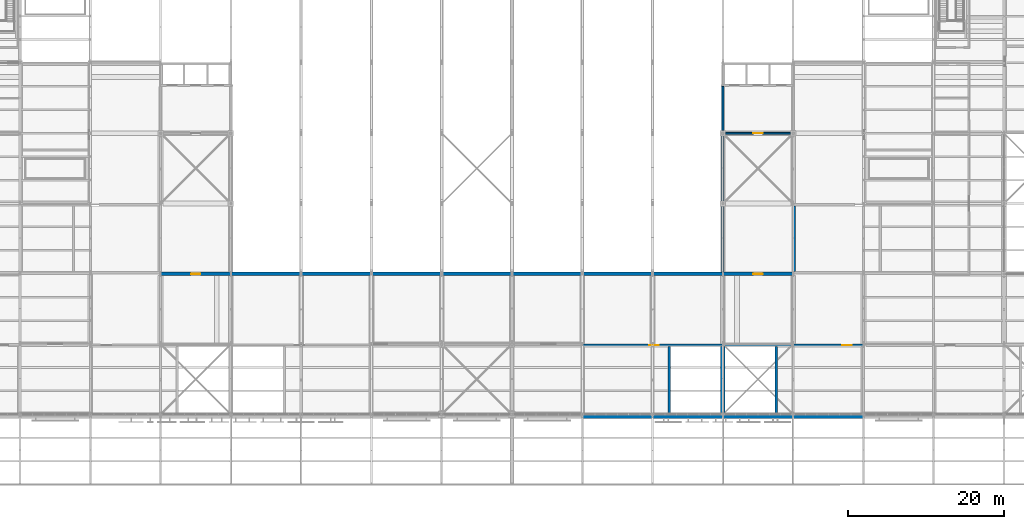
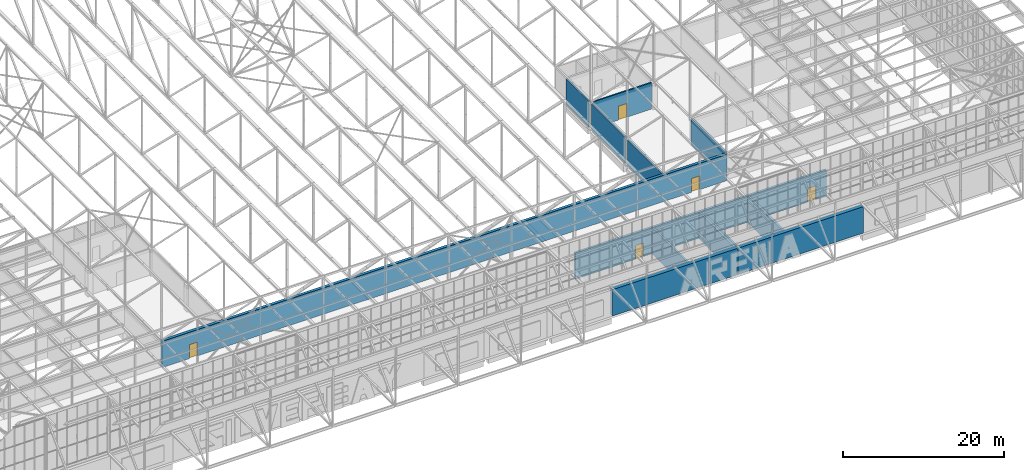
# One storey, part 167 of 646: 14 walls, 5 doors, 5 openings.
"""IFC4 building model written with IfcOpenShell, lengths in metres."""

from ifc_helpers import new_model, si_unit, direction, frame, frame_2d, origin, place, context, subcontext, project, spatial, rectangle, extrude, material, layer, layer_set, type_object, element, fill, save


model = new_model("IFC4")

# Units and contexts
model_context = context("Model", 3, precision=1e-05, world=origin(), true_north=direction((0.0, 1.0)))
body_context = subcontext(model_context, "Body", "Model", "MODEL_VIEW")
ifc_project = project(units=[si_unit("LENGTHUNIT", "METRE"), si_unit("AREAUNIT", "SQUARE_METRE"), si_unit("VOLUMEUNIT", "CUBIC_METRE"), si_unit("PLANEANGLEUNIT", "RADIAN"), si_unit("MASSUNIT", "GRAM", prefix="KILO")], contexts=[model_context])

# Site, building, storey
site_placement = place(None, origin())
site = spatial("IfcSite", under=ifc_project, at=site_placement, CompositionType="ELEMENT")
building_placement = place(site_placement, origin())
building = spatial("IfcBuilding", under=site, at=building_placement, Name="Silverbay Arena", CompositionType="ELEMENT")
storey_placement = place(building_placement, frame((0.0, 0.0, 33.5)))
storey = spatial("IfcBuildingStorey", under=building, at=storey_placement, Name="L05", CompositionType="ELEMENT", Elevation=33.5)

# Walls
ifc_material_1 = material(Name="Concrete Grade C45", Category="concrete")
ifc_layer_1 = layer(ifc_material_1, 0.25)
ifc_layer_set_1 = layer_set([ifc_layer_1], Name="Concrete Grade C45")
wall_type_1 = type_object("IfcWallType", Name="Bowl enclosure wall RC 250 EI 120", PredefinedType="SOLIDWALL", material=ifc_layer_set_1)
wall_1_placement = place(storey_placement, frame((162.0, 36.199951171875, 0.0), z_axis=(0.0, 0.0, 1.0), x_axis=(0.0, 1.0, 0.0)))
element("IfcWall", 1, at=wall_1_placement, inside=storey, type_object=wall_type_1, Name="Bowl enclosure wall, corner block SE-x", PredefinedType="SOLIDWALL", context=body_context, shape_type="SweptSolid", body=[
    extrude(rectangle(XDim=8.449951171875, YDim=0.25, at=frame_2d((4.22509765625, 0.0))), origin(), (0.0, 0.0, 1.0), 4.0),
])
wall_2_placement = place(storey_placement, frame((162.0, 45.35009765625, 0.0), z_axis=(0.0, 0.0, 1.0), x_axis=(0.0, 1.0, 0.0)))
element("IfcWall", 2, at=wall_2_placement, inside=storey, type_object=wall_type_1, Name="Bowl enclosure wall, corner block SE-x", PredefinedType="SOLIDWALL", context=body_context, shape_type="SweptSolid", body=[
    extrude(rectangle(XDim=8.2998046875, YDim=0.25, at=frame_2d((4.14990234375, 0.0))), origin(), (0.0, 0.0, 1.0), 4.0),
])
wall_3_placement = place(storey_placement, frame((162.0, 54.35009765625, 0.0), z_axis=(0.0, 0.0, 1.0), x_axis=(0.0, 1.0, 0.0)))
element("IfcWall", 3, at=wall_3_placement, inside=storey, type_object=wall_type_1, Name="Bowl enclosure wall, corner block SE-x", PredefinedType="SOLIDWALL", context=body_context, shape_type="SweptSolid", body=[
    extrude(rectangle(XDim=5.64990234375, YDim=0.25, at=frame_2d((2.824951171875, 0.0))), origin(), (0.0, 0.0, 1.0), 4.0),
])

# Wall, opening, door
ifc_material_2 = material(Name="Concrete Grade C45", Category="concrete")
ifc_layer_2 = layer(ifc_material_2, 0.300048828125)
ifc_layer_set_2 = layer_set([ifc_layer_2], Name="Concrete Grade C45")
wall_type_2 = type_object("IfcWallType", Name="Core wall RC 300 EI 120", PredefinedType="SHEAR", material=ifc_layer_set_2)
wall_4_placement = place(storey_placement, frame((144.0, 26.85009765625, 0.0), z_axis=(0.0, 0.0, 1.0), x_axis=(1.0, 0.0, 0.0)))
wall_4 = element("IfcWall", 4, at=wall_4_placement, inside=storey, type_object=wall_type_2, Name="Core wall ST-S3 L05 door side", PredefinedType="SHEAR", context=body_context, shape_type="SweptSolid", body=[
    extrude(rectangle(XDim=18.0, YDim=0.300048828125, at=frame_2d((9.0, 0.0))), origin(), (0.0, 0.0, 1.0), 4.0),
])
opening_1_placement = place(wall_4_placement, frame((8.60009765625, 0.0, 0.0)))
opening_1 = element("IfcOpeningElement", 5, at=opening_1_placement, cuts=wall_4, Name="Opening L05-029", PredefinedType="OPENING", context=body_context, shape_type="SweptSolid", body=[
    extrude(rectangle(XDim=1.199951171875, YDim=2.10009765625, at=frame_2d((0.60009765625, 1.050048828125))), frame((0.0, 0.16015625, 0.0), z_axis=(0.0, -1.0, 0.0), x_axis=(1.0, 0.0, 0.0)), (0.0, 0.0, 1.0), 0.320068359375),
])
ifc_material_3 = material(Name="Steel fire door", Category="steel")
door_type_1 = type_object("IfcDoorType", Name="Stair door 1200 x 2100 fire door", OperationType="SINGLE_SWING_LEFT", PredefinedType="DOOR", material=ifc_material_3)
door_1_placement = place(opening_1_placement, frame((1.199951171875, 0.0, 0.0), z_axis=(0.0, 0.0, 1.0), x_axis=(-1.0, 0.0, 0.0)))
door_1 = element("IfcDoor", 6, at=door_1_placement, inside=storey, type_object=door_type_1, Name="Stair door ST-S3 L05", OperationType="SINGLE_SWING_LEFT", OverallHeight=2.10009765625, OverallWidth=1.199951171875, PredefinedType="DOOR", context=body_context, shape_type="SweptSolid", body=[
    extrude(rectangle(XDim=1.199951171875, YDim=2.10009765625, at=frame_2d((0.60009765625, 1.050048828125))), frame((0.0, 0.02490234375, 0.0), z_axis=(0.0, -1.0, 0.0), x_axis=(1.0, 0.0, 0.0)), (0.0, 0.0, 1.0), 0.050048828125),
])
fill(opening_1, door_1)

# Walls
for number, where, z_axis, x_axis, name in (
    (7, (161.85009765625, 26.699951171875, 0.0), (0.0, 0.0, 1.0), (0.0, -1.0, 0.0), "Core wall ST-S3 L05 end 2"),
    (8, (155.14990234375, 26.699951171875, 0.0), (0.0, 0.0, 1.0), (0.0, -1.0, 0.0), "Core wall ST-S3 L05 stair enclosure"),
):
    element("IfcWall", number, at=place(storey_placement, frame(where, z_axis=z_axis, x_axis=x_axis)), inside=storey, type_object=wall_type_2, Name=name, PredefinedType="SHEAR", context=body_context, shape_type="SweptSolid", body=[
        extrude(rectangle(XDim=8.699951171875, YDim=0.300048828125, at=frame_2d((4.35009765625, 0.0))), origin(), (0.0, 0.0, 1.0), 4.0),
    ])

# Wall, opening, door
wall_5_placement = place(storey_placement, frame((180.0, 26.85009765625, 0.0), z_axis=(0.0, 0.0, 1.0), x_axis=(-1.0, 0.0, 0.0)))
wall_5 = element("IfcWall", 9, at=wall_5_placement, inside=storey, type_object=wall_type_2, Name="Core wall ST-S4 L05 door side", PredefinedType="SHEAR", context=body_context, shape_type="SweptSolid", body=[
    extrude(rectangle(XDim=18.0, YDim=0.300048828125, at=frame_2d((9.0, 0.0))), origin(), (0.0, 0.0, 1.0), 4.0),
])
opening_2_placement = place(wall_5_placement, frame((1.5, 0.0, 0.0)))
opening_2 = element("IfcOpeningElement", 10, at=opening_2_placement, cuts=wall_5, Name="Opening L05-030", PredefinedType="OPENING", context=body_context, shape_type="SweptSolid", body=[
    extrude(rectangle(XDim=1.199951171875, YDim=2.10009765625, at=frame_2d((0.60009765625, 1.050048828125))), frame((0.0, 0.16015625, 0.0), z_axis=(0.0, -1.0, 0.0), x_axis=(1.0, 0.0, 0.0)), (0.0, 0.0, 1.0), 0.320068359375),
])
door_2_placement = place(opening_2_placement, origin())
door_2 = element("IfcDoor", 11, at=door_2_placement, inside=storey, type_object=door_type_1, Name="Stair door ST-S4 L05", OperationType="SINGLE_SWING_LEFT", OverallHeight=2.10009765625, OverallWidth=1.199951171875, PredefinedType="DOOR", context=body_context, shape_type="SweptSolid", body=[
    extrude(rectangle(XDim=1.199951171875, YDim=2.10009765625, at=frame_2d((0.60009765625, 1.050048828125))), frame((0.0, 0.02490234375, 0.0), z_axis=(0.0, -1.0, 0.0), x_axis=(1.0, 0.0, 0.0)), (0.0, 0.0, 1.0), 0.050048828125),
])
fill(opening_2, door_2)

# Walls
for number, where, z_axis, x_axis, name in (
    (12, (162.14990234375, 26.699951171875, 0.0), (0.0, 0.0, 1.0), (0.0, -1.0, 0.0), "Core wall ST-S4 L05 end 2"),
    (13, (168.85009765625, 26.699951171875, 0.0), (0.0, 0.0, 1.0), (0.0, -1.0, 0.0), "Core wall ST-S4 L05 stair enclosure"),
):
    element("IfcWall", number, at=place(storey_placement, frame(where, z_axis=z_axis, x_axis=x_axis)), inside=storey, type_object=wall_type_2, Name=name, PredefinedType="SHEAR", context=body_context, shape_type="SweptSolid", body=[
        extrude(rectangle(XDim=8.699951171875, YDim=0.300048828125, at=frame_2d((4.35009765625, 0.0))), origin(), (0.0, 0.0, 1.0), 4.0),
    ])
wall_6_placement = place(storey_placement, frame((171.14990234375, 44.699951171875, 0.0), z_axis=(0.0, 0.0, 1.0), x_axis=(0.0, -1.0, 0.0)))
element("IfcWall", 14, at=wall_6_placement, inside=storey, type_object=wall_type_2, Name="Core wall ST-SE1 L05 end 1", PredefinedType="SHEAR", context=body_context, shape_type="SweptSolid", body=[
    extrude(rectangle(XDim=8.39990234375, YDim=0.300048828125, at=frame_2d((4.199951171875, 0.0))), origin(), (0.0, 0.0, 1.0), 4.0),
])
ifc_material_4 = material(Name="Concrete Grade C45", Category="concrete")
ifc_layer_3 = layer(ifc_material_4, 0.5)
ifc_layer_set_3 = layer_set([ifc_layer_3], Name="Concrete Grade C45")
wall_type_3 = type_object("IfcWallType", Name="Core wall RC 500 external EI 120", PredefinedType="SHEAR", material=ifc_layer_set_3)
for number, where, z_axis, x_axis, name in (
    (15, (144.0, 17.75, 0.0), (0.0, 0.0, 1.0), (1.0, 0.0, 0.0), "Core wall ST-S3 L05 facade side"),
    (16, (180.0, 17.75, 0.0), (0.0, 0.0, 1.0), (-1.0, 0.0, 0.0), "Core wall ST-S4 L05 facade side"),
):
    element("IfcWall", number, at=place(storey_placement, frame(where, z_axis=z_axis, x_axis=x_axis)), inside=storey, type_object=wall_type_3, Name=name, PredefinedType="SHEAR", context=body_context, shape_type="SweptSolid", body=[
        extrude(rectangle(XDim=18.0, YDim=0.5, at=frame_2d((9.0, 0.0))), origin(), (0.0, 0.0, 1.0), 4.0),
    ])

# Wall, opening, door
ifc_material_5 = material(Name="Masonry blockwork partition", Category="masonry")
ifc_layer_4 = layer(ifc_material_5, 0.199951171875)
ifc_layer_set_4 = layer_set([ifc_layer_4], Name="Masonry blockwork partition")
wall_type_4 = type_object("IfcWallType", Name="Partition 200 EI 120", PredefinedType="PARTITIONING", material=ifc_layer_set_4)
wall_7_placement = place(storey_placement, frame((162.35009765625, 54.0, 0.0), z_axis=(0.0, 0.0, 1.0), x_axis=(1.0, 0.0, 0.0)))
wall_7 = element("IfcWall", 17, at=wall_7_placement, inside=storey, type_object=wall_type_4, Name="Partition wall", PredefinedType="PARTITIONING", context=body_context, shape_type="SweptSolid", body=[
    extrude(rectangle(XDim=8.2998046875, YDim=0.199951171875, at=frame_2d((4.14990234375, 0.0))), origin(), (0.0, 0.0, 1.0), 4.0),
])
opening_3_placement = place(wall_7_placement, frame((3.550048828125, 0.0, 0.0)))
opening_3 = element("IfcOpeningElement", 18, at=opening_3_placement, cuts=wall_7, Name="Opening L05-022", PredefinedType="OPENING", context=body_context, shape_type="SweptSolid", body=[
    extrude(rectangle(XDim=1.199951171875, YDim=2.10009765625, at=frame_2d((0.60009765625, 1.050048828125))), frame((0.0, 0.10986328125, 0.0), z_axis=(0.0, -1.0, 0.0), x_axis=(1.0, 0.0, 0.0)), (0.0, 0.0, 1.0), 0.219970703125),
])
ifc_material_6 = material(Name="Steel faced timber", Category="steel")
door_type_2 = type_object("IfcDoorType", Name="Single leaf door 1200 x 2100 FD60", OperationType="SINGLE_SWING_LEFT", PredefinedType="DOOR", material=ifc_material_6)
door_3_placement = place(opening_3_placement, frame((1.199951171875, 0.0, 0.0), z_axis=(0.0, 0.0, 1.0), x_axis=(-1.0, 0.0, 0.0)))
door_3 = element("IfcDoor", 19, at=door_3_placement, inside=storey, type_object=door_type_2, Name="Door L05-022", OperationType="SINGLE_SWING_LEFT", OverallHeight=2.10009765625, OverallWidth=1.199951171875, PredefinedType="DOOR", context=body_context, shape_type="SweptSolid", body=[
    extrude(rectangle(XDim=1.199951171875, YDim=2.10009765625, at=frame_2d((0.60009765625, 1.050048828125))), frame((0.0, 0.02490234375, 0.0), z_axis=(0.0, -1.0, 0.0), x_axis=(1.0, 0.0, 0.0)), (0.0, 0.0, 1.0), 0.050048828125),
])
fill(opening_3, door_3)

# Wall, openings, doors
ifc_material_7 = material(Name="Concrete Grade C45", Category="concrete")
ifc_layer_5 = layer(ifc_material_7, 0.39990234375)
ifc_layer_set_5 = layer_set([ifc_layer_5], Name="Concrete Grade C45")
wall_type_5 = type_object("IfcWallType", Name="RC back wall 400 EI 120", PredefinedType="SOLIDWALL", material=ifc_layer_set_5)
wall_8_placement = place(storey_placement, frame((90.0, 36.0, 0.0), z_axis=(0.0, 0.0, 1.0), x_axis=(1.0, 0.0, 0.0)))
wall_8 = element("IfcWall", 20, at=wall_8_placement, inside=storey, type_object=wall_type_5, Name="Bowl back wall L05 01", PredefinedType="SOLIDWALL", context=body_context, shape_type="SweptSolid", body=[
    extrude(rectangle(XDim=81.0, YDim=0.39990234375, at=frame_2d((40.5, 0.0))), origin(), (0.0, 0.0, 1.0), 4.0),
])
opening_4_placement = place(wall_8_placement, frame((3.89990234375, 0.0, 0.0)))
opening_4 = element("IfcOpeningElement", 21, at=opening_4_placement, cuts=wall_8, Name="Opening L05-063", PredefinedType="OPENING", context=body_context, shape_type="SweptSolid", body=[
    extrude(rectangle(XDim=1.199951171875, YDim=2.10009765625, at=frame_2d((0.60009765625, 1.050048828125))), frame((0.0, 0.2099609375, 0.0), z_axis=(0.0, -1.0, 0.0), x_axis=(1.0, 0.0, 0.0)), (0.0, 0.0, 1.0), 0.419921875),
])
opening_5_placement = place(wall_8_placement, frame((75.89990234375, 0.0, 0.0)))
opening_5 = element("IfcOpeningElement", 22, at=opening_5_placement, cuts=wall_8, Name="Opening L05-064", PredefinedType="OPENING", context=body_context, shape_type="SweptSolid", body=[
    extrude(rectangle(XDim=1.199951171875, YDim=2.10009765625, at=frame_2d((0.60009765625, 1.050048828125))), frame((0.0, 0.2099609375, 0.0), z_axis=(0.0, -1.0, 0.0), x_axis=(1.0, 0.0, 0.0)), (0.0, 0.0, 1.0), 0.419921875),
])
ifc_material_8 = material(Name="Steel faced timber", Category="steel")
door_type_3 = type_object("IfcDoorType", Name="Single leaf door 1200 x 2100 FD120S", OperationType="SINGLE_SWING_LEFT", PredefinedType="DOOR", material=ifc_material_8)
door_4_placement = place(opening_4_placement, frame((1.199951171875, 0.0, 0.0), z_axis=(0.0, 0.0, 1.0), x_axis=(-1.0, 0.0, 0.0)))
door_4 = element("IfcDoor", 23, at=door_4_placement, inside=storey, type_object=door_type_3, Name="Door L05-063", OperationType="SINGLE_SWING_RIGHT", OverallHeight=2.10009765625, OverallWidth=1.199951171875, PredefinedType="DOOR", context=body_context, shape_type="SweptSolid", body=[
    extrude(rectangle(XDim=1.199951171875, YDim=2.10009765625, at=frame_2d((0.60009765625, 1.050048828125))), frame((0.0, 0.02490234375, 0.0), z_axis=(0.0, -1.0, 0.0), x_axis=(1.0, 0.0, 0.0)), (0.0, 0.0, 1.0), 0.050048828125),
])
fill(opening_4, door_4)
door_5_placement = place(opening_5_placement, frame((1.199951171875, 0.0, 0.0), z_axis=(0.0, 0.0, 1.0), x_axis=(-1.0, 0.0, 0.0)))
door_5 = element("IfcDoor", 24, at=door_5_placement, inside=storey, type_object=door_type_3, Name="Door L05-064", OperationType="SINGLE_SWING_RIGHT", OverallHeight=2.10009765625, OverallWidth=1.199951171875, PredefinedType="DOOR", context=body_context, shape_type="SweptSolid", body=[
    extrude(rectangle(XDim=1.199951171875, YDim=2.10009765625, at=frame_2d((0.60009765625, 1.050048828125))), frame((0.0, 0.02490234375, 0.0), z_axis=(0.0, -1.0, 0.0), x_axis=(1.0, 0.0, 0.0)), (0.0, 0.0, 1.0), 0.050048828125),
])
fill(opening_5, door_5)

save(model, "model.ifc")
